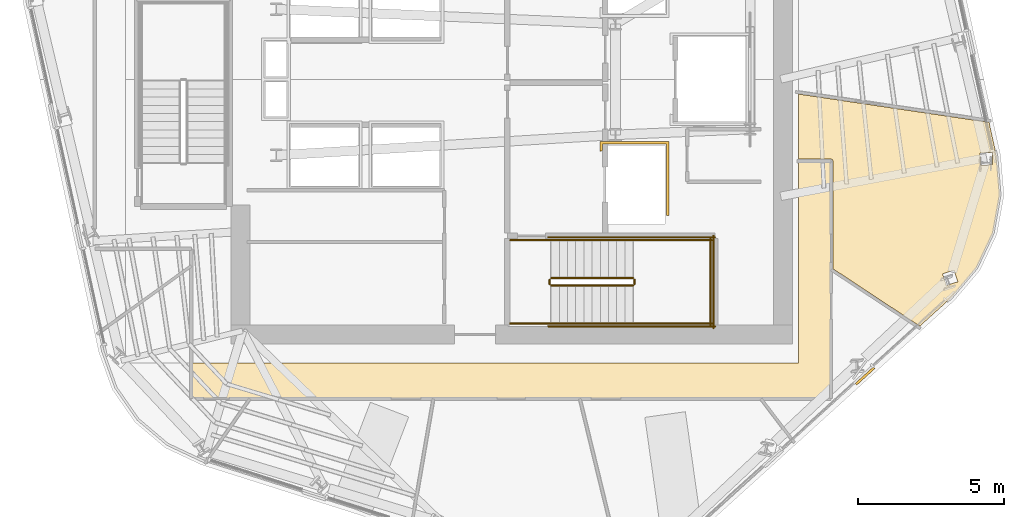
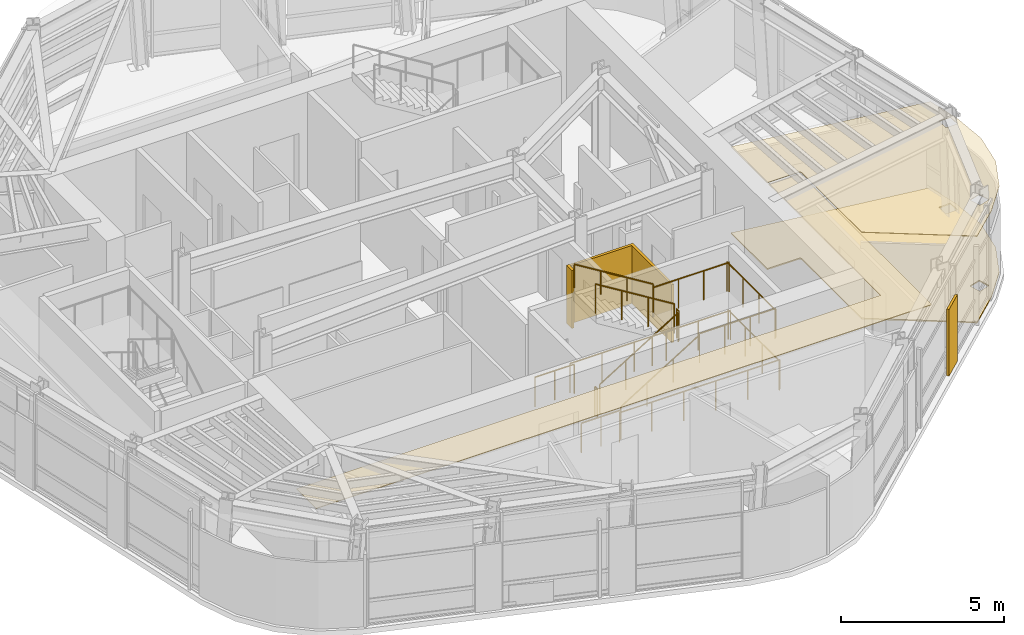
# One storey, part 12 of 15: 14 railings, 5 coverings.
"""IFC4 building model written with IfcOpenShell, lengths in metres."""

import ifcopenshell
import ifcopenshell.guid

model = None  # the IFC model being written
_history = None  # IfcOwnerHistory: only IFC2X3 demands one
_inside = {}  # id of a spatial element -> (the spatial element, [elements in it])
_under = {}  # id of a project, library or spatial element -> (it, [spatial elements below it])
_declared = {}  # id of a project -> (the project, [libraries it declares])
_typed = {}  # id of a type object -> (the type object, [elements of that type])
_made_of = {}  # id of a material, layer set ... -> (it, [elements and type objects made of it])


def new_model(schema):
    """Start an empty IFC model of exactly this schema.

    Asked for "IFC4X3", IfcOpenShell would pick the latest addendum, in which some entities
    have other attributes; the version numbers below select the first issue.
    IFC2X3 requires an IfcOwnerHistory on every rooted entity: one is made here for all.
    """
    global model, _history
    if schema == "IFC4X3":
        model = ifcopenshell.file(schema_version=(4, 3, 0, 0))
    else:
        model = ifcopenshell.file(schema=schema)
    _inside.clear()
    _under.clear()
    _declared.clear()
    _typed.clear()
    _made_of.clear()
    _history = None
    if model.schema == "IFC2X3":
        org = make("IfcOrganization", Name="unknown")
        user = make(
            "IfcPersonAndOrganization",
            ThePerson=make("IfcPerson", FamilyName="unknown"),
            TheOrganization=org,
        )
        app = make(
            "IfcApplication",
            ApplicationDeveloper=org,
            Version="unknown",
            ApplicationFullName="unknown",
            ApplicationIdentifier="unknown",
        )
        _history = make(
            "IfcOwnerHistory",
            OwningUser=user,
            OwningApplication=app,
            ChangeAction="ADDED",
            CreationDate=0,
        )
    return model


def make(cls, **values):
    """One entity of the class cls with the attributes given. An attribute that is None is left unset."""
    return model.create_entity(
        cls, **{name: value for name, value in values.items() if value is not None}
    )


def rooted(cls, **values):
    """An entity with a GlobalId (a new one), such as an element, a storey or a relation."""
    return make(cls, GlobalId=ifcopenshell.guid.new(), OwnerHistory=_history, **values)


def si_unit(unit_type, name, prefix=None):
    """IfcSIUnit, for example si_unit("LENGTHUNIT", "METRE", prefix="MILLI")."""
    return make("IfcSIUnit", UnitType=unit_type, Prefix=prefix, Name=name)


def assignment(units):
    """IfcUnitAssignment: the units of a project."""
    return None if units is None else make("IfcUnitAssignment", Units=units)


def point(xyz):
    """IfcCartesianPoint."""
    return None if xyz is None else make("IfcCartesianPoint", Coordinates=xyz)


def direction(xyz):
    """IfcDirection."""
    return None if xyz is None else make("IfcDirection", DirectionRatios=xyz)


def frame(location, z_axis=None, x_axis=None):
    """IfcAxis2Placement3D, a coordinate frame: its origin and axes. An axis left out is left unset."""
    return make(
        "IfcAxis2Placement3D",
        Location=point(location),
        Axis=direction(z_axis),
        RefDirection=direction(x_axis),
    )


def frame_2d(location, x_axis=None):
    """IfcAxis2Placement2D, a coordinate frame in the plane: its origin and x axis."""
    return make(
        "IfcAxis2Placement2D", Location=point(location), RefDirection=direction(x_axis)
    )


def origin():
    """The frame at (0, 0, 0) with its axes left unset."""
    return frame((0.0, 0.0, 0.0))


def origin_2d():
    """The frame at (0, 0) in the plane with its x axis left unset."""
    return frame_2d((0.0, 0.0))


def place(relative_to, where):
    """IfcLocalPlacement: puts the frame where relative to a parent placement (None: the world)."""
    return make(
        "IfcLocalPlacement", PlacementRelTo=relative_to, RelativePlacement=where
    )


def context(
    kind, dimensions, precision=None, world=None, true_north=None, identifier=None
):
    """IfcGeometricRepresentationContext, for example the 3D "Model" context."""
    return make(
        "IfcGeometricRepresentationContext",
        ContextIdentifier=identifier,
        ContextType=kind,
        CoordinateSpaceDimension=dimensions,
        Precision=precision,
        WorldCoordinateSystem=world,
        TrueNorth=true_north,
    )


def subcontext(parent, identifier, kind, view, scale=None):
    """IfcGeometricRepresentationSubContext, for example "Body" below "Model"."""
    return make(
        "IfcGeometricRepresentationSubContext",
        ContextIdentifier=identifier,
        ContextType=kind,
        ParentContext=parent,
        TargetScale=scale,
        TargetView=view,
    )


def project(units=None, contexts=None):
    """IfcProject with its units and contexts."""
    return rooted(
        "IfcProject",
        Name="project",
        RepresentationContexts=contexts,
        UnitsInContext=assignment(units),
    )


def spatial(cls, under=None, at=None, **own):
    """A site, building, storey or space (cls), placed at a placement, below another one or the project."""
    s = rooted(cls, ObjectPlacement=at, **own)
    if under is not None:
        _under.setdefault(under.id(), (under, []))[1].append(s)
    return s


def polyline(points):
    """IfcPolyline through the points."""
    return make("IfcPolyline", Points=[point(p) for p in points])


def profile(cls, at=None, kind="AREA", **sizes):
    """A parametric profile (cls). Its sizes go by their IFC names, for example OverallWidth=200.0."""
    return make(cls, ProfileType=kind, Position=at, **sizes)


def circle(**sizes):
    """IfcCircleProfileDef."""
    return profile("IfcCircleProfileDef", **sizes)


def outline(outer, holes=None, kind="AREA"):
    """IfcArbitraryClosedProfileDef: a profile drawn as a closed curve; with holes, ...WithVoids."""
    if holes is None:
        return make("IfcArbitraryClosedProfileDef", ProfileType=kind, OuterCurve=outer)
    return make(
        "IfcArbitraryProfileDefWithVoids",
        ProfileType=kind,
        OuterCurve=outer,
        InnerCurves=holes,
    )


def extrude(swept, where, along, depth):
    """IfcExtrudedAreaSolid: the profile swept, set in the frame where, extruded along a direction by depth."""
    return make(
        "IfcExtrudedAreaSolid",
        SweptArea=swept,
        Position=where,
        ExtrudedDirection=direction(along),
        Depth=depth,
    )


def shape(context_of_items, identifier, shape_type, items):
    """IfcShapeRepresentation: the items that make up one representation, for example the "Body"."""
    return make(
        "IfcShapeRepresentation",
        ContextOfItems=context_of_items,
        RepresentationIdentifier=identifier,
        RepresentationType=shape_type,
        Items=items,
    )


def material(Name=None, Category=None):
    """IfcMaterial."""
    return make("IfcMaterial", Name=Name, Category=Category)


def layer(
    of_material, thickness, ventilated=None, Name=None, Category=None, Priority=None
):
    """IfcMaterialLayer: one layer of a wall or slab, of a material (None: an air gap)."""
    return make(
        "IfcMaterialLayer",
        Material=of_material,
        LayerThickness=thickness,
        IsVentilated=ventilated,
        Name=Name,
        Category=Category,
        Priority=Priority,
    )


def layer_set(layers, Name=None):
    """IfcMaterialLayerSet."""
    return make("IfcMaterialLayerSet", MaterialLayers=layers, LayerSetName=Name)


def made_of(thing, what):
    """Note that an element or type object is made of a material, layer set ...; save() writes the relation."""
    if what is not None:
        _made_of.setdefault(what.id(), (what, []))[1].append(thing)
    return thing


def type_object(cls, material=None, **own):
    """A type object (cls), such as IfcWallType, which elements share."""
    return made_of(rooted(cls, **own), material)


def element(
    cls,
    number,
    at=None,
    inside=None,
    cuts=None,
    type_object=None,
    material=None,
    context=None,
    identifier="Body",
    shape_type=None,
    held_by="IfcProductDefinitionShape",
    body=None,
    shapes=None,
    **own,
):
    """One element of the class cls, such as IfcWall. Its Tag is "e" and its number.

    at: its placement. inside: the storey or other place that contains it. cuts: it is an
    opening in that element (IfcRelVoidsElement). A single representation is given by context,
    identifier, shape_type and body (its items); several are given by shapes. held_by: the class
    of the entity that holds the representations. save() writes the other relations.
    """
    e = rooted(cls, Tag="e%d" % number, ObjectPlacement=at, **own)
    if body is not None:
        shapes = [shape(context, identifier, shape_type, body)]
    if shapes is not None:
        e.Representation = make(held_by, Representations=shapes)
    if inside is not None:
        _inside.setdefault(inside.id(), (inside, []))[1].append(e)
    if cuts is not None:
        rooted(
            "IfcRelVoidsElement", RelatingBuildingElement=cuts, RelatedOpeningElement=e
        )
    if type_object is not None:
        _typed.setdefault(type_object.id(), (type_object, []))[1].append(e)
    return made_of(e, material)


def aggregate(whole, parts):
    """IfcRelAggregates: a whole, such as a stair, and the parts it consists of."""
    return rooted("IfcRelAggregates", RelatingObject=whole, RelatedObjects=parts)


def save(model, path):
    """Write the relations noted so far, then the file.

    IfcRelAggregates (storeys below a building ...), IfcRelContainedInSpatialStructure (elements
    in a storey), IfcRelDefinesByType, IfcRelAssociatesMaterial and IfcRelDeclares: one each for
    every whole, place, type object, material and project.
    """
    for whole, parts in _under.values():
        aggregate(whole, parts)
    for where, things in _inside.values():
        rooted(
            "IfcRelContainedInSpatialStructure",
            RelatedElements=things,
            RelatingStructure=where,
        )
    for kind, things in _typed.values():
        rooted("IfcRelDefinesByType", RelatedObjects=things, RelatingType=kind)
    for what, things in _made_of.values():
        rooted("IfcRelAssociatesMaterial", RelatedObjects=things, RelatingMaterial=what)
    for by, libraries in _declared.values():
        rooted("IfcRelDeclares", RelatingContext=by, RelatedDefinitions=libraries)
    model.write(path)


model = new_model("IFC4")

# Units and contexts
model_context = context("Model", 3, precision=1e-05, world=origin(), true_north=direction((0.0, 1.0)))
body_context = subcontext(model_context, "Body", "Model", "MODEL_VIEW")
ifc_project = project(units=[si_unit("LENGTHUNIT", "METRE"), si_unit("AREAUNIT", "SQUARE_METRE"), si_unit("VOLUMEUNIT", "CUBIC_METRE"), si_unit("PLANEANGLEUNIT", "RADIAN"), si_unit("MASSUNIT", "GRAM", prefix="KILO")], contexts=[model_context])

# Site, building, storey
site_placement = place(None, origin())
site = spatial("IfcSite", under=ifc_project, at=site_placement, CompositionType="ELEMENT")
building_placement = place(site_placement, origin())
building = spatial("IfcBuilding", under=site, at=building_placement, Name="Valkerne Bourse Tower", CompositionType="ELEMENT")
storey_placement = place(building_placement, frame((0.0, 0.0, 205.60009765625)))
storey = spatial("IfcBuildingStorey", under=building, at=storey_placement, Name="L52", CompositionType="ELEMENT", Elevation=205.60009765625)

# Coverings
ifc_material_1 = material(Name="Mineral Fiber Acoustic Ceiling Tile", Category="acoustic")
ifc_layer_1 = layer(ifc_material_1, 0.02490234375)
ifc_layer_set_1 = layer_set([ifc_layer_1], Name="Mineral Fiber Acoustic Ceiling Tile")
covering_type_1 = type_object("IfcCoveringType", Name="COV-CEIL-ACT", PredefinedType="CEILING", material=ifc_layer_set_1)
covering_1_placement = place(storey_placement, frame((0.0, 0.0, 3.25)))
element("IfcCovering", 1, at=covering_1_placement, inside=storey, type_object=covering_type_1, Name="L52 Suspended Ceiling 08", PredefinedType="CEILING", context=body_context, shape_type="SweptSolid", body=[
    extrude(outline(polyline([(62.694091796875, 20.55419921875), (61.836181640625, 19.539306640625), (60.7568359375, 18.560302734375), (57.7890625, 20.519775390625), (57.787109375, 24.216552734375), (57.76171875, 24.255126953125), (57.723388671875, 24.268798828125), (56.60009765625, 24.26904296875), (56.60009765625, 26.49658203125), (63.1240234375, 25.5283203125), (63.37841796875, 24.37109375), (63.489501953125, 23.046875), (63.255859375, 21.748291015625), (62.694091796875, 20.55419921875)]), holes=[polyline([(62.05419921875, 20.07861328125), (61.9287109375, 20.472900390625), (61.536376953125, 20.34912109375), (61.535400390625, 20.3466796875), (61.660888671875, 19.952392578125), (62.05322265625, 20.076416015625), (62.05419921875, 20.07861328125)]), polyline([(63.25, 24.088623046875), (63.23193359375, 24.499267578125), (62.818115234375, 24.481689453125), (62.8173828125, 24.479248046875), (62.83544921875, 24.068603515625), (63.24951171875, 24.08642578125), (63.25, 24.088623046875)])]), origin(), (0.0, 0.0, 1.0), 0.02490234375),
])
ifc_material_2 = material(Name="Bronze Anodised Aluminium AA 6063-T6", Category="aluminium")
ifc_layer_2 = layer(ifc_material_2, 0.030029296875)
ifc_layer_set_2 = layer_set([ifc_layer_2], Name="Bronze Anodised Aluminium AA 6063-T6")
covering_type_2 = type_object("IfcCoveringType", Name="COV-CEIL-METAL", PredefinedType="CEILING", material=ifc_layer_set_2)
covering_2_placement = place(storey_placement, frame((0.0, 0.0, 3.25)))
element("IfcCovering", 2, at=covering_2_placement, inside=storey, type_object=covering_type_2, Name="L52 Suspended Ceiling 01", PredefinedType="CEILING", context=body_context, shape_type="SweptSolid", body=[
    extrude(outline(polyline([(35.85400390625, 17.300048828125), (56.60009765625, 17.300048828125), (56.60009765625, 24.196044921875), (57.716064453125, 24.196044921875), (57.716064453125, 16.083984375), (35.85400390625, 16.083984375), (35.85400390625, 17.300048828125)])), origin(), (0.0, 0.0, 1.0), 0.02490234375),
])
ifc_layer_3 = layer(ifc_material_2, 0.06005859375)
ifc_layer_set_3 = layer_set([ifc_layer_3], Name="Bronze Anodised Aluminium AA 6063-T6")
covering_type_3 = type_object("IfcCoveringType", Name="COV-CRN-ALUM", PredefinedType="CLADDING", material=ifc_layer_set_3)
covering_3_placement = place(storey_placement, origin())
element("IfcCovering", 3, at=covering_3_placement, inside=storey, type_object=covering_type_3, Name="L52 Wind-Shaped Corner Aluminium Cladding 02", PredefinedType="CLADDING", context=body_context, shape_type="SweptSolid", body=[
    extrude(outline(polyline([(58.59619140625, 16.54150390625), (58.54248046875, 16.6005859375), (59.16455078125, 17.164794921875), (59.218505859375, 17.105712890625), (58.59619140625, 16.54150390625)])), origin(), (0.0, 0.0, 1.0), 2.5),
])
ifc_material_3 = material(Name="Galvanised Painted Steel", Category="steel")
ifc_layer_4 = layer(ifc_material_3, 0.044921875)
ifc_layer_set_4 = layer_set([ifc_layer_4], Name="Galvanised Painted Steel")
covering_type_4 = type_object("IfcCoveringType", Name="COV-FLR-RAF", PredefinedType="FLOORING", material=ifc_layer_set_4)
covering_4_placement = place(storey_placement, origin())
element("IfcCovering", 4, at=covering_4_placement, inside=storey, type_object=covering_type_4, Name="L52 Floor Finish 08", PredefinedType="FLOORING", context=body_context, shape_type="SweptSolid", body=[
    extrude(outline(polyline([(62.694091796875, 20.55419921875), (61.836181640625, 19.539306640625), (60.7568359375, 18.560302734375), (57.7890625, 20.519775390625), (57.787109375, 24.216552734375), (57.76171875, 24.255126953125), (57.723388671875, 24.268798828125), (56.60009765625, 24.26904296875), (56.60009765625, 26.49658203125), (63.1240234375, 25.5283203125), (63.37841796875, 24.37109375), (63.489501953125, 23.046875), (63.255859375, 21.748291015625), (62.694091796875, 20.55419921875)]), holes=[polyline([(62.05419921875, 20.07861328125), (61.9287109375, 20.472900390625), (61.536376953125, 20.34912109375), (61.535400390625, 20.3466796875), (61.660888671875, 19.952392578125), (62.05322265625, 20.076416015625), (62.05419921875, 20.07861328125)]), polyline([(63.25, 24.088623046875), (63.23193359375, 24.499267578125), (62.818115234375, 24.481689453125), (62.8173828125, 24.479248046875), (62.83544921875, 24.068603515625), (63.24951171875, 24.08642578125), (63.25, 24.088623046875)])]), origin(), (0.0, 0.0, 1.0), 0.044921875),
])
ifc_material_4 = material(Name="Gypsum Shaftwall Liner Board", Category="gypsum")
ifc_layer_5 = layer(ifc_material_4, 0.080078125)
ifc_layer_set_5 = layer_set([ifc_layer_5], Name="Gypsum Shaftwall Liner Board")
covering_type_5 = type_object("IfcCoveringType", Name="COV-SHF-CLAD", PredefinedType="CLADDING", material=ifc_layer_set_5)
covering_5_placement = place(storey_placement, origin())
element("IfcCovering", 5, at=covering_5_placement, inside=storey, type_object=covering_type_5, Name="L52 Hoistway & Riser Shaftwall Liner 05", PredefinedType="CLADDING", context=body_context, shape_type="SweptSolid", body=[
    extrude(outline(polyline([(52.179931640625, 22.35009765625), (52.090087890625, 22.35009765625), (52.090087890625, 24.7900390625), (49.909912109375, 24.7900390625), (49.909912109375, 24.560791015625), (49.869384765625, 24.550537109375), (49.827880859375, 24.53564453125), (49.820068359375, 24.531982421875), (49.820068359375, 24.8798828125), (52.179931640625, 24.8798828125), (52.179931640625, 22.35009765625)])), origin(), (0.0, 0.0, 1.0), 2.179931640625),
])

# Railings
railing_type_1 = type_object("IfcRailingType", Name="RLG-ST-GUARD-1120", PredefinedType="GUARDRAIL", material=ifc_material_3)
railing_1_placement = place(storey_placement, frame((48.14990234375, 19.949951171875, 0.172607421875)))
element("IfcRailing", 6, at=railing_1_placement, inside=storey, type_object=railing_type_1, Name="L52 ST-1 stair guard 1", PredefinedType="GUARDRAIL", context=body_context, shape_type="SweptSolid", body=[
    extrude(circle(Radius=0.02392578125, at=origin_2d()), frame((0.0, 0.0, 1.09619140625), z_axis=(0.851089632645, 0.0, 0.525020415988), x_axis=(0.0, 1.0, 0.0)), (0.0, 0.0, 1.0), 3.2900390625),
    extrude(circle(Radius=0.02099609375, at=origin_2d()), origin(), (0.0, 0.0, 1.0), 1.072021484375),
    extrude(circle(Radius=0.02099609375, at=origin_2d()), frame((0.933349609375, 0.0, 0.57568359375)), (0.0, 0.0, 1.0), 1.072021484375),
    extrude(circle(Radius=0.02099609375, at=origin_2d()), frame((1.86669921875, 0.0, 1.151611328125)), (0.0, 0.0, 1.0), 1.072021484375),
    extrude(circle(Radius=0.02099609375, at=origin_2d()), frame((2.800048828125, 0.0, 1.727294921875)), (0.0, 0.0, 1.0), 1.072021484375),
])
railing_2_placement = place(storey_placement, frame((51.0, 20.0, 1.89990234375)))
element("IfcRailing", 7, at=railing_2_placement, inside=storey, type_object=railing_type_1, Name="L52 ST-1 stair guard 2", PredefinedType="GUARDRAIL", context=body_context, shape_type="SweptSolid", body=[
    extrude(circle(Radius=0.02392578125, at=origin_2d()), frame((0.0, 0.0, 1.09619140625), z_axis=(0.0, 1.0, 0.0), x_axis=(-1.0, 0.0, 0.0)), (0.0, 0.0, 1.0), 0.14990234375),
    extrude(circle(Radius=0.02099609375, at=origin_2d()), origin(), (0.0, 0.0, 1.0), 1.072021484375),
    extrude(circle(Radius=0.02099609375, at=origin_2d()), frame((0.0, 0.14990234375, 0.0)), (0.0, 0.0, 1.0), 1.072021484375),
])
for number, where, name in (
    (8, (50.949951171875, 18.64990234375, 1.89990234375), "L52 ST-1 stair guard 3"),
    (9, (50.949951171875, 21.5, 1.89990234375), "L52 ST-1 stair guard 4"),
):
    element("IfcRailing", number, at=place(storey_placement, frame(where)), inside=storey, type_object=railing_type_1, Name=name, PredefinedType="GUARDRAIL", context=body_context, shape_type="SweptSolid", body=[
        extrude(circle(Radius=0.02392578125, at=origin_2d()), frame((0.0, 0.0, 1.09619140625), z_axis=(1.0, 0.0, 0.0), x_axis=(0.0, 1.0, 0.0)), (0.0, 0.0, 1.0), 2.699951171875),
        extrude(circle(Radius=0.02099609375, at=origin_2d()), origin(), (0.0, 0.0, 1.0), 1.072021484375),
        extrude(circle(Radius=0.02099609375, at=origin_2d()), frame((0.89990234375, 0.0, 0.0)), (0.0, 0.0, 1.0), 1.072021484375),
        extrude(circle(Radius=0.02099609375, at=origin_2d()), frame((1.800048828125, 0.0, 0.0)), (0.0, 0.0, 1.0), 1.072021484375),
        extrude(circle(Radius=0.02099609375, at=origin_2d()), frame((2.699951171875, 0.0, 0.0)), (0.0, 0.0, 1.0), 1.072021484375),
    ])
railing_3_placement = place(storey_placement, frame((53.60009765625, 18.60009765625, 1.89990234375)))
element("IfcRailing", 10, at=railing_3_placement, inside=storey, type_object=railing_type_1, Name="L52 ST-1 stair guard 5", PredefinedType="GUARDRAIL", context=body_context, shape_type="SweptSolid", body=[
    extrude(circle(Radius=0.02392578125, at=origin_2d()), frame((0.0, 0.0, 1.09619140625), z_axis=(0.0, 1.0, 0.0), x_axis=(-1.0, 0.0, 0.0)), (0.0, 0.0, 1.0), 2.949951171875),
    extrude(circle(Radius=0.02099609375, at=origin_2d()), origin(), (0.0, 0.0, 1.0), 1.072021484375),
    extrude(circle(Radius=0.02099609375, at=origin_2d()), frame((0.0, 0.9833984375, 0.0)), (0.0, 0.0, 1.0), 1.072021484375),
    extrude(circle(Radius=0.02099609375, at=origin_2d()), frame((0.0, 1.966552734375, 0.0)), (0.0, 0.0, 1.0), 1.072021484375),
    extrude(circle(Radius=0.02099609375, at=origin_2d()), frame((0.0, 2.949951171875, 0.0)), (0.0, 0.0, 1.0), 1.072021484375),
])
railing_4_placement = place(storey_placement, frame((50.949951171875, 20.199951171875, 2.072509765625)))
element("IfcRailing", 11, at=railing_4_placement, inside=storey, type_object=railing_type_1, Name="L52 ST-1 stair guard 6", PredefinedType="GUARDRAIL", context=body_context, shape_type="SweptSolid", body=[
    extrude(circle(Radius=0.02392578125, at=origin_2d()), frame((0.0, 0.0, 1.09619140625), z_axis=(-0.851089632645, 0.0, 0.525020415988), x_axis=(0.0, -1.0, 0.0)), (0.0, 0.0, 1.0), 3.2900390625),
    extrude(circle(Radius=0.02099609375, at=origin_2d()), origin(), (0.0, 0.0, 1.0), 1.072021484375),
    extrude(circle(Radius=0.02099609375, at=origin_2d()), frame((-0.933349609375, 0.0, 0.57568359375)), (0.0, 0.0, 1.0), 1.072021484375),
    extrude(circle(Radius=0.02099609375, at=origin_2d()), frame((-1.86669921875, 0.0, 1.151611328125)), (0.0, 0.0, 1.0), 1.072021484375),
    extrude(circle(Radius=0.02099609375, at=origin_2d()), frame((-2.800048828125, 0.0, 1.727294921875)), (0.0, 0.0, 1.0), 1.072021484375),
])
railing_5_placement = place(storey_placement, frame((48.10009765625, 20.0, 0.0)))
element("IfcRailing", 12, at=railing_5_placement, inside=storey, type_object=railing_type_1, Name="L52 ST-1 stair guard 7", PredefinedType="GUARDRAIL", context=body_context, shape_type="SweptSolid", body=[
    extrude(circle(Radius=0.02392578125, at=origin_2d()), frame((0.0, 0.0, 1.09619140625), z_axis=(0.0, 1.0, 0.0), x_axis=(-1.0, 0.0, 0.0)), (0.0, 0.0, 1.0), 0.14990234375),
    extrude(circle(Radius=0.02099609375, at=origin_2d()), origin(), (0.0, 0.0, 1.0), 1.072021484375),
    extrude(circle(Radius=0.02099609375, at=origin_2d()), frame((0.0, 0.14990234375, 0.0)), (0.0, 0.0, 1.0), 1.072021484375),
])
for number, where, name in (
    (13, (46.75, 18.64990234375, 0.0), "L52 ST-1 stair guard 8"),
    (14, (46.75, 21.5, 0.0), "L52 ST-1 stair guard 9"),
):
    element("IfcRailing", number, at=place(storey_placement, frame(where)), inside=storey, type_object=railing_type_1, Name=name, PredefinedType="GUARDRAIL", context=body_context, shape_type="SweptSolid", body=[
        extrude(circle(Radius=0.02392578125, at=origin_2d()), frame((0.0, 0.0, 1.09619140625), z_axis=(1.0, 0.0, 0.0), x_axis=(0.0, 1.0, 0.0)), (0.0, 0.0, 1.0), 1.39990234375),
        extrude(circle(Radius=0.02099609375, at=origin_2d()), origin(), (0.0, 0.0, 1.0), 1.072021484375),
        extrude(circle(Radius=0.02099609375, at=origin_2d()), frame((0.699951171875, 0.0, 0.0)), (0.0, 0.0, 1.0), 1.072021484375),
        extrude(circle(Radius=0.02099609375, at=origin_2d()), frame((1.39990234375, 0.0, 0.0)), (0.0, 0.0, 1.0), 1.072021484375),
    ])
for number, where, name in (
    (15, (48.050048828125, 18.550048828125, 0.0), "L52 ST-1 stair guard 10"),
    (16, (48.050048828125, 21.60009765625, 0.0), "L52 ST-1 stair guard 11"),
):
    element("IfcRailing", number, at=place(storey_placement, frame(where)), inside=storey, type_object=railing_type_1, Name=name, PredefinedType="GUARDRAIL", context=body_context, shape_type="SweptSolid", body=[
        extrude(circle(Radius=0.02392578125, at=origin_2d()), frame((0.0, 0.0, 1.09619140625), z_axis=(1.0, 0.0, 0.0), x_axis=(0.0, 1.0, 0.0)), (0.0, 0.0, 1.0), 5.699951171875),
        extrude(circle(Radius=0.02099609375, at=origin_2d()), origin(), (0.0, 0.0, 1.0), 1.072021484375),
        extrude(circle(Radius=0.02099609375, at=origin_2d()), frame((1.139892578125, 0.0, 0.0)), (0.0, 0.0, 1.0), 1.072021484375),
        extrude(circle(Radius=0.02099609375, at=origin_2d()), frame((2.280029296875, 0.0, 0.0)), (0.0, 0.0, 1.0), 1.072021484375),
        extrude(circle(Radius=0.02099609375, at=origin_2d()), frame((3.419921875, 0.0, 0.0)), (0.0, 0.0, 1.0), 1.072021484375),
        extrude(circle(Radius=0.02099609375, at=origin_2d()), frame((4.56005859375, 0.0, 0.0)), (0.0, 0.0, 1.0), 1.072021484375),
        extrude(circle(Radius=0.02099609375, at=origin_2d()), frame((5.699951171875, 0.0, 0.0)), (0.0, 0.0, 1.0), 1.072021484375),
    ])
railing_6_placement = place(storey_placement, frame((53.699951171875, 18.5, 0.0)))
element("IfcRailing", 17, at=railing_6_placement, inside=storey, type_object=railing_type_1, Name="L52 ST-1 stair guard 12", PredefinedType="GUARDRAIL", context=body_context, shape_type="SweptSolid", body=[
    extrude(circle(Radius=0.02392578125, at=origin_2d()), frame((0.0, 0.0, 1.09619140625), z_axis=(0.0, 1.0, 0.0), x_axis=(-1.0, 0.0, 0.0)), (0.0, 0.0, 1.0), 3.14990234375),
    extrude(circle(Radius=0.02099609375, at=origin_2d()), origin(), (0.0, 0.0, 1.0), 1.072021484375),
    extrude(circle(Radius=0.02099609375, at=origin_2d()), frame((0.0, 1.050048828125, 0.0)), (0.0, 0.0, 1.0), 1.072021484375),
    extrude(circle(Radius=0.02099609375, at=origin_2d()), frame((0.0, 2.099853515625, 0.0)), (0.0, 0.0, 1.0), 1.072021484375),
    extrude(circle(Radius=0.02099609375, at=origin_2d()), frame((0.0, 3.14990234375, 0.0)), (0.0, 0.0, 1.0), 1.072021484375),
])
ifc_material_5 = material(Name="Stainless Steel AISI 316", Category="steel")
railing_type_2 = type_object("IfcRailingType", Name="RLG-ST-HANDRAIL-900", PredefinedType="HANDRAIL", material=ifc_material_5)
railing_7_placement = place(storey_placement, frame((48.14990234375, 18.64990234375, 0.345458984375)))
element("IfcRailing", 18, at=railing_7_placement, inside=storey, type_object=railing_type_2, Name="L52 ST-1 stair handrail 1", PredefinedType="HANDRAIL", context=body_context, shape_type="SweptSolid", body=[
    extrude(circle(Radius=0.02392578125, at=origin_2d()), frame((0.0, 0.0, 0.8759765625), z_axis=(0.851122791225, 0.0, 0.524966660138), x_axis=(0.0, 1.0, 0.0)), (0.0, 0.0, 1.0), 3.289794921875),
    extrude(circle(Radius=0.02099609375, at=origin_2d()), origin(), (0.0, 0.0, 1.0), 0.851806640625),
    extrude(circle(Radius=0.02099609375, at=origin_2d()), frame((0.933349609375, 0.0, 0.57568359375)), (0.0, 0.0, 1.0), 0.851806640625),
    extrude(circle(Radius=0.02099609375, at=origin_2d()), frame((1.86669921875, 0.0, 1.1513671875)), (0.0, 0.0, 1.0), 0.851806640625),
    extrude(circle(Radius=0.02099609375, at=origin_2d()), frame((2.800048828125, 0.0, 1.72705078125)), (0.0, 0.0, 1.0), 0.851806640625),
])
railing_8_placement = place(storey_placement, frame((50.949951171875, 21.5, 2.245361328125)))
element("IfcRailing", 19, at=railing_8_placement, inside=storey, type_object=railing_type_2, Name="L52 ST-1 stair handrail 2", PredefinedType="HANDRAIL", context=body_context, shape_type="SweptSolid", body=[
    extrude(circle(Radius=0.02392578125, at=origin_2d()), frame((0.0, 0.0, 0.8759765625), z_axis=(-0.851089632645, 0.0, 0.525020415988), x_axis=(0.0, -1.0, 0.0)), (0.0, 0.0, 1.0), 3.2900390625),
    extrude(circle(Radius=0.02099609375, at=origin_2d()), origin(), (0.0, 0.0, 1.0), 0.851806640625),
    extrude(circle(Radius=0.02099609375, at=origin_2d()), frame((-0.933349609375, 0.0, 0.57568359375)), (0.0, 0.0, 1.0), 0.851806640625),
    extrude(circle(Radius=0.02099609375, at=origin_2d()), frame((-1.86669921875, 0.0, 1.151611328125)), (0.0, 0.0, 1.0), 0.851806640625),
    extrude(circle(Radius=0.02099609375, at=origin_2d()), frame((-2.800048828125, 0.0, 1.727294921875)), (0.0, 0.0, 1.0), 0.851806640625),
])

save(model, "model.ifc")
